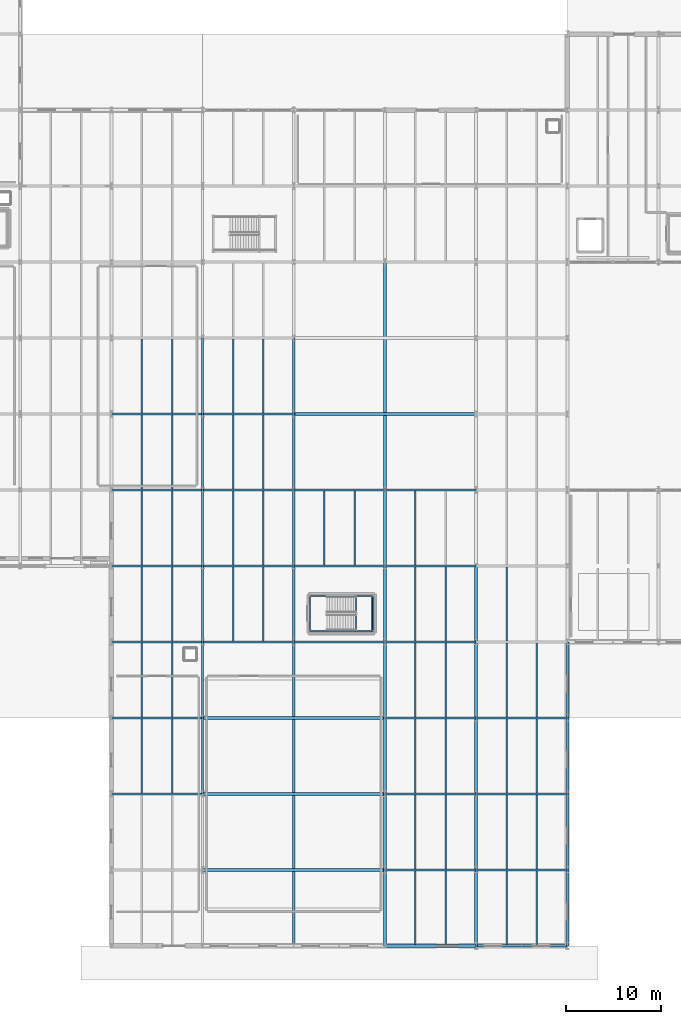
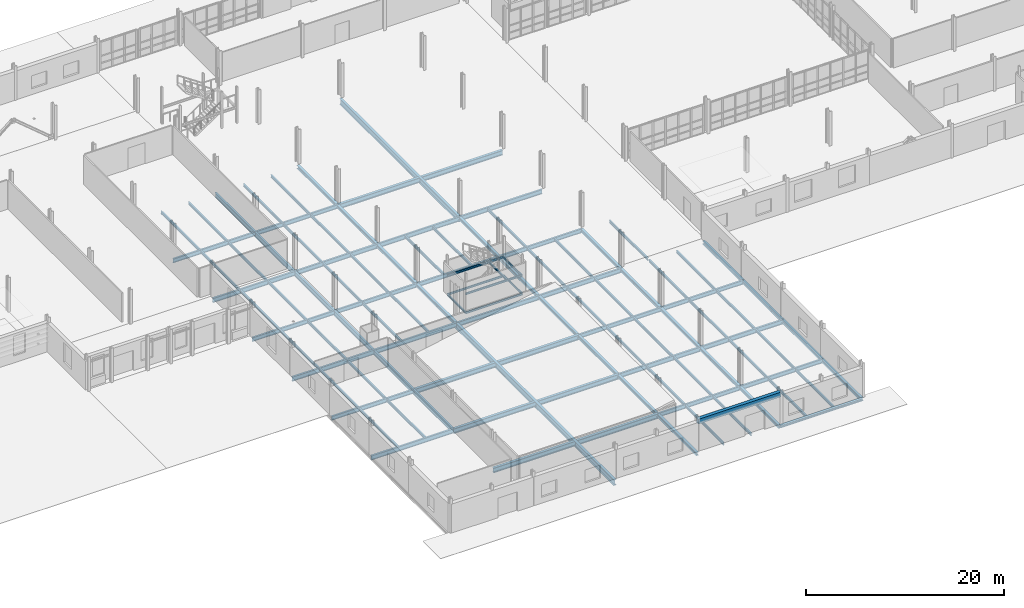
# One storey, part 31 of 78: 105 beams.
"""IFC4 building model written with IfcOpenShell, lengths in metres."""

from ifc_helpers import new_model, si_unit, direction, frame, origin, origin_2d, place, context, subcontext, project, spatial, rectangle, i_section, extrude, material, material_profile, profile_set, type_object, element, save


model = new_model("IFC4")

# Units and contexts
model_context = context("Model", 3, precision=1e-05, world=origin(), true_north=direction((0.0, 1.0)))
body_context = subcontext(model_context, "Body", "Model", "MODEL_VIEW")
ifc_project = project(units=[si_unit("LENGTHUNIT", "METRE"), si_unit("AREAUNIT", "SQUARE_METRE"), si_unit("VOLUMEUNIT", "CUBIC_METRE"), si_unit("PLANEANGLEUNIT", "RADIAN"), si_unit("MASSUNIT", "GRAM", prefix="KILO")], contexts=[model_context])

# Site, building, storey
site_placement = place(None, origin())
site = spatial("IfcSite", under=ifc_project, at=site_placement, CompositionType="ELEMENT")
building_placement = place(site_placement, origin())
building = spatial("IfcBuilding", under=site, at=building_placement, Name="Alderhovde Museum", CompositionType="ELEMENT")
storey_placement = place(building_placement, origin())
storey = spatial("IfcBuildingStorey", under=building, at=storey_placement, Name="L00", CompositionType="ELEMENT", Elevation=0.0)

# Beams
ifc_material_1 = material(Name="Steel S355J2", Category="steel")
ifc_material_profile_1 = material_profile(ifc_material_1, i_section(OverallWidth=0.300048828125, OverallDepth=0.389892578125, WebThickness=0.010986328125, FlangeThickness=0.01904296875, FilletRadius=0.027099609375, at=origin_2d()), Name="HEA 400")
ifc_profile_set_1 = profile_set([ifc_material_profile_1], Name="Steel S355J2")
beam_type_1 = type_object("IfcBeamType", Name="BM-HEA400", PredefinedType="BEAM", material=ifc_profile_set_1)
for number, where, z_axis, x_axis, name in (
    (1, (86.39990234375, 32.0, -0.47509765625), (0.0, 1.0, 0.0), (-1.0, 0.0, 0.0), "L00 Grid Beam X=86.4 (32.0 TO 40.0)"),
    (2, (86.39990234375, 40.0, -0.47509765625), (0.0, 1.0, 0.0), (-1.0, 0.0, 0.0), "L00 Grid Beam X=86.4 (40.0 TO 48.0)"),
    (3, (86.39990234375, 48.0, -0.47509765625), (0.0, 1.0, 0.0), (-1.0, 0.0, 0.0), "L00 Grid Beam X=86.4 (48.0 TO 56.0)"),
    (4, (86.39990234375, 56.0, -0.47509765625), (0.0, 1.0, 0.0), (-1.0, 0.0, 0.0), "L00 Grid Beam X=86.4 (56.0 TO 64.0)"),
    (5, (96.0, 0.0, -0.47509765625), (0.0, 1.0, 0.0), (-1.0, 0.0, 0.0), "L00 Grid Beam X=96.0 (0.0 TO 8.0)"),
    (6, (96.0, 8.0, -0.47509765625), (0.0, 1.0, 0.0), (-1.0, 0.0, 0.0), "L00 Grid Beam X=96.0 (8.0 TO 16.0)"),
    (7, (96.0, 16.0, -0.47509765625), (0.0, 1.0, 0.0), (-1.0, 0.0, 0.0), "L00 Grid Beam X=96.0 (16.0 TO 24.0)"),
    (8, (96.0, 24.0, -0.47509765625), (0.0, 1.0, 0.0), (-1.0, 0.0, 0.0), "L00 Grid Beam X=96.0 (24.0 TO 32.0)"),
    (9, (96.0, 32.0, -0.47509765625), (0.0, 1.0, 0.0), (-1.0, 0.0, 0.0), "L00 Grid Beam X=96.0 (32.0 TO 40.0)"),
    (10, (96.0, 40.0, -0.47509765625), (0.0, 1.0, 0.0), (-1.0, 0.0, 0.0), "L00 Grid Beam X=96.0 (40.0 TO 48.0)"),
    (11, (105.60009765625, 0.0, -0.47509765625), (0.0, 1.0, 0.0), (-1.0, 0.0, 0.0), "L00 Grid Beam X=105.6 (0.0 TO 8.0)"),
    (12, (105.60009765625, 8.0, -0.47509765625), (0.0, 1.0, 0.0), (-1.0, 0.0, 0.0), "L00 Grid Beam X=105.6 (8.0 TO 16.0)"),
    (13, (105.60009765625, 16.0, -0.47509765625), (0.0, 1.0, 0.0), (-1.0, 0.0, 0.0), "L00 Grid Beam X=105.6 (16.0 TO 24.0)"),
    (14, (105.60009765625, 24.0, -0.47509765625), (0.0, 1.0, 0.0), (-1.0, 0.0, 0.0), "L00 Grid Beam X=105.6 (24.0 TO 32.0)"),
    (15, (105.60009765625, 32.0, -0.47509765625), (0.0, 1.0, 0.0), (-1.0, 0.0, 0.0), "L00 Grid Beam X=105.6 (32.0 TO 40.0)"),
    (16, (115.199951171875, 0.0, -0.47509765625), (0.0, 1.0, 0.0), (-1.0, 0.0, 0.0), "L00 Grid Beam X=115.2 (0.0 TO 8.0)"),
    (17, (115.199951171875, 8.0, -0.47509765625), (0.0, 1.0, 0.0), (-1.0, 0.0, 0.0), "L00 Grid Beam X=115.2 (8.0 TO 16.0)"),
    (18, (115.199951171875, 16.0, -0.47509765625), (0.0, 1.0, 0.0), (-1.0, 0.0, 0.0), "L00 Grid Beam X=115.2 (16.0 TO 24.0)"),
    (19, (115.199951171875, 24.0, -0.47509765625), (0.0, 1.0, 0.0), (-1.0, 0.0, 0.0), "L00 Grid Beam X=115.2 (24.0 TO 32.0)"),
):
    element("IfcBeam", number, at=place(storey_placement, frame(where, z_axis=z_axis, x_axis=x_axis)), inside=storey, type_object=beam_type_1, Name=name, PredefinedType="BEAM", context=body_context, shape_type="SweptSolid", body=[
        extrude(i_section(OverallWidth=0.300048828125, OverallDepth=0.389892578125, WebThickness=0.010986328125, FlangeThickness=0.01904296875, FilletRadius=0.027099609375, at=origin_2d()), origin(), (0.0, 0.0, 1.0), 8.0),
    ])
ifc_material_2 = material(Name="Steel S355J2", Category="steel")
ifc_material_profile_2 = material_profile(ifc_material_2, i_section(OverallWidth=0.300048828125, OverallDepth=0.60009765625, WebThickness=0.015380859375, FlangeThickness=0.030029296875, FilletRadius=0.027099609375, at=origin_2d()), Name="HEB 600")
ifc_profile_set_2 = profile_set([ifc_material_profile_2], Name="Steel S355J2")
beam_type_2 = type_object("IfcBeamType", Name="BM-HEB600", PredefinedType="BEAM", material=ifc_profile_set_2)
for number, where, z_axis, x_axis, name in (
    (20, (76.800048828125, 8.0, -0.580078125), (1.0, 0.0, 0.0), (0.0, 1.0, 0.0), "L00 Grid Beam Y=8.0 (76.8 TO 96.0)"),
    (21, (76.800048828125, 16.0, -0.580078125), (1.0, 0.0, 0.0), (0.0, 1.0, 0.0), "L00 Grid Beam Y=16.0 (76.8 TO 96.0)"),
    (22, (76.800048828125, 24.0, -0.580078125), (1.0, 0.0, 0.0), (0.0, 1.0, 0.0), "L00 Grid Beam Y=24.0 (76.8 TO 96.0)"),
):
    element("IfcBeam", number, at=place(storey_placement, frame(where, z_axis=z_axis, x_axis=x_axis)), inside=storey, type_object=beam_type_2, Name=name, PredefinedType="BEAM", context=body_context, shape_type="SweptSolid", body=[
        extrude(i_section(OverallWidth=0.300048828125, OverallDepth=0.60009765625, WebThickness=0.015380859375, FlangeThickness=0.030029296875, FilletRadius=0.027099609375, at=origin_2d()), origin(), (0.0, 0.0, 1.0), 19.199951171875),
    ])
beam_1_placement = place(storey_placement, frame((86.39990234375, 56.0, -0.580078125), z_axis=(1.0, 0.0, 0.0), x_axis=(0.0, 1.0, 0.0)))
element("IfcBeam", 23, at=beam_1_placement, inside=storey, type_object=beam_type_2, Name="L00 Grid Beam Y=56.0 (86.4 TO 105.6)", PredefinedType="BEAM", context=body_context, shape_type="SweptSolid", body=[
    extrude(i_section(OverallWidth=0.300048828125, OverallDepth=0.60009765625, WebThickness=0.015380859375, FlangeThickness=0.030029296875, FilletRadius=0.027099609375, at=origin_2d()), origin(), (0.0, 0.0, 1.0), 19.2001953125),
])
ifc_material_3 = material(Name="Steel S355J2", Category="steel")
ifc_material_profile_3 = material_profile(ifc_material_3, i_section(OverallWidth=0.300048828125, OverallDepth=0.699951171875, WebThickness=0.01708984375, FlangeThickness=0.031982421875, FilletRadius=0.027099609375, at=origin_2d()), Name="HEB 700")
ifc_profile_set_3 = profile_set([ifc_material_profile_3], Name="Steel S355J2")
beam_type_3 = type_object("IfcBeamType", Name="BM-HEB700", PredefinedType="BEAM", material=ifc_profile_set_3)
beam_2_placement = place(storey_placement, frame((86.39990234375, 0.0, -0.6298828125), z_axis=(0.0, 1.0, 0.0), x_axis=(-1.0, 0.0, 0.0)))
element("IfcBeam", 24, at=beam_2_placement, inside=storey, type_object=beam_type_3, Name="L00 Grid Beam X=86.4 (0.0 TO 32.0)", PredefinedType="BEAM", context=body_context, shape_type="SweptSolid", body=[
    extrude(i_section(OverallWidth=0.300048828125, OverallDepth=0.699951171875, WebThickness=0.01708984375, FlangeThickness=0.031982421875, FilletRadius=0.027099609375, at=origin_2d()), origin(), (0.0, 0.0, 1.0), 32.0),
])
beam_3_placement = place(storey_placement, frame((96.0, 48.0, -0.6298828125), z_axis=(0.0, 1.0, 0.0), x_axis=(-1.0, 0.0, 0.0)))
element("IfcBeam", 25, at=beam_3_placement, inside=storey, type_object=beam_type_3, Name="L00 Grid Beam X=96.0 (48.0 TO 72.0)", PredefinedType="BEAM", context=body_context, shape_type="SweptSolid", body=[
    extrude(i_section(OverallWidth=0.300048828125, OverallDepth=0.699951171875, WebThickness=0.01708984375, FlangeThickness=0.031982421875, FilletRadius=0.027099609375, at=origin_2d()), origin(), (0.0, 0.0, 1.0), 24.0),
])
ifc_material_4 = material(Name="Steel S355J2", Category="steel")
ifc_material_profile_4 = material_profile(ifc_material_4, i_section(OverallWidth=0.1201171875, OverallDepth=0.239990234375, WebThickness=0.006103515625, FlangeThickness=0.009765625, FilletRadius=0.014892578125, at=origin_2d()), Name="IPE 240")
ifc_profile_set_4 = profile_set([ifc_material_profile_4], Name="Steel S355J2")
beam_type_4 = type_object("IfcBeamType", Name="BM-IPE240", PredefinedType="BEAM", material=ifc_profile_set_4)
for number, where, z_axis, x_axis, name in (
    (26, (88.1201171875, 33.1201171875, -0.39990234375), (1.0, 0.0, 0.0), (0.0, 1.0, 0.0), "L00 Stair ST3 Floor Trimmer S"),
    (27, (88.1201171875, 36.840087890625, -0.39990234375), (1.0, 0.0, 0.0), (0.0, 1.0, 0.0), "L00 Stair ST3 Floor Trimmer N"),
):
    element("IfcBeam", number, at=place(storey_placement, frame(where, z_axis=z_axis, x_axis=x_axis)), inside=storey, type_object=beam_type_4, Name=name, PredefinedType="BEAM", context=body_context, shape_type="SweptSolid", body=[
        extrude(i_section(OverallWidth=0.1201171875, OverallDepth=0.239990234375, WebThickness=0.006103515625, FlangeThickness=0.009765625, FilletRadius=0.014892578125, at=origin_2d()), origin(), (0.0, 0.0, 1.0), 6.599853515625),
    ])
for number, where, z_axis, x_axis, name in (
    (28, (88.1201171875, 33.1201171875, -0.39990234375), (0.0, 1.0, 0.0), (-1.0, 0.0, 0.0), "L00 Stair ST3 Floor Trimmer W"),
    (29, (94.719970703125, 33.1201171875, -0.39990234375), (0.0, 1.0, 0.0), (-1.0, 0.0, 0.0), "L00 Stair ST3 Floor Trimmer E"),
):
    element("IfcBeam", number, at=place(storey_placement, frame(where, z_axis=z_axis, x_axis=x_axis)), inside=storey, type_object=beam_type_4, Name=name, PredefinedType="BEAM", context=body_context, shape_type="SweptSolid", body=[
        extrude(i_section(OverallWidth=0.1201171875, OverallDepth=0.239990234375, WebThickness=0.006103515625, FlangeThickness=0.009765625, FilletRadius=0.014892578125, at=origin_2d()), origin(), (0.0, 0.0, 1.0), 3.719970703125),
    ])
for number, where, z_axis, x_axis, name in (
    (30, (88.1201171875, 33.1201171875, 1.929931640625), (1.0, 0.0, 0.0), (0.0, 1.0, 0.0), "L00 Stair ST3 Landing 1 Beam S"),
    (31, (88.1201171875, 36.840087890625, 1.929931640625), (1.0, 0.0, 0.0), (0.0, 1.0, 0.0), "L00 Stair ST3 Landing 1 Beam N"),
):
    element("IfcBeam", number, at=place(storey_placement, frame(where, z_axis=z_axis, x_axis=x_axis)), inside=storey, type_object=beam_type_4, Name=name, PredefinedType="BEAM", context=body_context, shape_type="SweptSolid", body=[
        extrude(i_section(OverallWidth=0.1201171875, OverallDepth=0.239990234375, WebThickness=0.006103515625, FlangeThickness=0.009765625, FilletRadius=0.014892578125, at=origin_2d()), origin(), (0.0, 0.0, 1.0), 6.599853515625),
    ])
for number, where, z_axis, x_axis, name in (
    (32, (92.9599609375, 33.1201171875, 1.929931640625), (0.0, 1.0, 0.0), (-1.0, 0.0, 0.0), "L00 Stair ST3 Landing 1 Beam W"),
    (33, (94.639892578125, 33.1201171875, 1.929931640625), (0.0, 1.0, 0.0), (-1.0, 0.0, 0.0), "L00 Stair ST3 Landing 1 Beam E"),
):
    element("IfcBeam", number, at=place(storey_placement, frame(where, z_axis=z_axis, x_axis=x_axis)), inside=storey, type_object=beam_type_4, Name=name, PredefinedType="BEAM", context=body_context, shape_type="SweptSolid", body=[
        extrude(i_section(OverallWidth=0.1201171875, OverallDepth=0.239990234375, WebThickness=0.006103515625, FlangeThickness=0.009765625, FilletRadius=0.014892578125, at=origin_2d()), origin(), (0.0, 0.0, 1.0), 3.719970703125),
    ])
ifc_material_5 = material(Name="Steel S355J2", Category="steel")
ifc_material_profile_5 = material_profile(ifc_material_5, i_section(OverallWidth=0.199951171875, OverallDepth=0.5, WebThickness=0.01025390625, FlangeThickness=0.01611328125, FilletRadius=0.02099609375, at=origin_2d()), Name="IPE 500")
ifc_profile_set_5 = profile_set([ifc_material_profile_5], Name="Steel S355J2")
beam_type_5 = type_object("IfcBeamType", Name="BM-IPE500", PredefinedType="BEAM", material=ifc_profile_set_5)
beam_4_placement = place(storey_placement, frame((96.0, 8.0, -0.530029296875), z_axis=(1.0, 0.0, 0.0), x_axis=(0.0, 1.0, 0.0)))
element("IfcBeam", 34, at=beam_4_placement, inside=storey, type_object=beam_type_5, Name="L00 Grid Beam Y=8.0 (96.0 TO 105.6)", PredefinedType="BEAM", context=body_context, shape_type="SweptSolid", body=[
    extrude(i_section(OverallWidth=0.199951171875, OverallDepth=0.5, WebThickness=0.01025390625, FlangeThickness=0.01611328125, FilletRadius=0.02099609375, at=origin_2d()), origin(), (0.0, 0.0, 1.0), 9.60009765625),
])
beam_5_placement = place(storey_placement, frame((105.60009765625, 8.0, -0.530029296875), z_axis=(1.0, 0.0, 0.0), x_axis=(0.0, 1.0, 0.0)))
element("IfcBeam", 35, at=beam_5_placement, inside=storey, type_object=beam_type_5, Name="L00 Grid Beam Y=8.0 (105.6 TO 115.2)", PredefinedType="BEAM", context=body_context, shape_type="SweptSolid", body=[
    extrude(i_section(OverallWidth=0.199951171875, OverallDepth=0.5, WebThickness=0.01025390625, FlangeThickness=0.01611328125, FilletRadius=0.02099609375, at=origin_2d()), origin(), (0.0, 0.0, 1.0), 9.599853515625),
])
for number, where, z_axis, x_axis, name in (
    (36, (67.199951171875, 24.0, -0.530029296875), (1.0, 0.0, 0.0), (0.0, 1.0, 0.0), "L00 Grid Beam Y=24.0 (67.2 TO 76.8)"),
    (37, (96.0, 24.0, -0.530029296875), (1.0, 0.0, 0.0), (0.0, 1.0, 0.0), "L00 Grid Beam Y=24.0 (96.0 TO 105.6)"),
):
    element("IfcBeam", number, at=place(storey_placement, frame(where, z_axis=z_axis, x_axis=x_axis)), inside=storey, type_object=beam_type_5, Name=name, PredefinedType="BEAM", context=body_context, shape_type="SweptSolid", body=[
        extrude(i_section(OverallWidth=0.199951171875, OverallDepth=0.5, WebThickness=0.01025390625, FlangeThickness=0.01611328125, FilletRadius=0.02099609375, at=origin_2d()), origin(), (0.0, 0.0, 1.0), 9.60009765625),
    ])
beam_6_placement = place(storey_placement, frame((105.60009765625, 24.0, -0.530029296875), z_axis=(1.0, 0.0, 0.0), x_axis=(0.0, 1.0, 0.0)))
element("IfcBeam", 38, at=beam_6_placement, inside=storey, type_object=beam_type_5, Name="L00 Grid Beam Y=24.0 (105.6 TO 115.2)", PredefinedType="BEAM", context=body_context, shape_type="SweptSolid", body=[
    extrude(i_section(OverallWidth=0.199951171875, OverallDepth=0.5, WebThickness=0.01025390625, FlangeThickness=0.01611328125, FilletRadius=0.02099609375, at=origin_2d()), origin(), (0.0, 0.0, 1.0), 9.599853515625),
])
beam_7_placement = place(storey_placement, frame((67.199951171875, 40.0, -0.530029296875), z_axis=(1.0, 0.0, 0.0), x_axis=(0.0, 1.0, 0.0)))
element("IfcBeam", 39, at=beam_7_placement, inside=storey, type_object=beam_type_5, Name="L00 Grid Beam Y=40.0 (67.2 TO 76.8)", PredefinedType="BEAM", context=body_context, shape_type="SweptSolid", body=[
    extrude(i_section(OverallWidth=0.199951171875, OverallDepth=0.5, WebThickness=0.01025390625, FlangeThickness=0.01611328125, FilletRadius=0.02099609375, at=origin_2d()), origin(), (0.0, 0.0, 1.0), 9.60009765625),
])
beam_8_placement = place(storey_placement, frame((76.800048828125, 40.0, -0.530029296875), z_axis=(1.0, 0.0, 0.0), x_axis=(0.0, 1.0, 0.0)))
element("IfcBeam", 40, at=beam_8_placement, inside=storey, type_object=beam_type_5, Name="L00 Grid Beam Y=40.0 (76.8 TO 86.4)", PredefinedType="BEAM", context=body_context, shape_type="SweptSolid", body=[
    extrude(i_section(OverallWidth=0.199951171875, OverallDepth=0.5, WebThickness=0.01025390625, FlangeThickness=0.01611328125, FilletRadius=0.02099609375, at=origin_2d()), origin(), (0.0, 0.0, 1.0), 9.599853515625),
])
for number, where, z_axis, x_axis, name in (
    (41, (86.39990234375, 40.0, -0.530029296875), (1.0, 0.0, 0.0), (0.0, 1.0, 0.0), "L00 Grid Beam Y=40.0 (86.4 TO 96.0)"),
    (42, (96.0, 40.0, -0.530029296875), (1.0, 0.0, 0.0), (0.0, 1.0, 0.0), "L00 Grid Beam Y=40.0 (96.0 TO 105.6)"),
    (43, (67.199951171875, 56.0, -0.530029296875), (1.0, 0.0, 0.0), (0.0, 1.0, 0.0), "L00 Grid Beam Y=56.0 (67.2 TO 76.8)"),
):
    element("IfcBeam", number, at=place(storey_placement, frame(where, z_axis=z_axis, x_axis=x_axis)), inside=storey, type_object=beam_type_5, Name=name, PredefinedType="BEAM", context=body_context, shape_type="SweptSolid", body=[
        extrude(i_section(OverallWidth=0.199951171875, OverallDepth=0.5, WebThickness=0.01025390625, FlangeThickness=0.01611328125, FilletRadius=0.02099609375, at=origin_2d()), origin(), (0.0, 0.0, 1.0), 9.60009765625),
    ])
beam_9_placement = place(storey_placement, frame((76.800048828125, 56.0, -0.530029296875), z_axis=(1.0, 0.0, 0.0), x_axis=(0.0, 1.0, 0.0)))
element("IfcBeam", 44, at=beam_9_placement, inside=storey, type_object=beam_type_5, Name="L00 Grid Beam Y=56.0 (76.8 TO 86.4)", PredefinedType="BEAM", context=body_context, shape_type="SweptSolid", body=[
    extrude(i_section(OverallWidth=0.199951171875, OverallDepth=0.5, WebThickness=0.01025390625, FlangeThickness=0.01611328125, FilletRadius=0.02099609375, at=origin_2d()), origin(), (0.0, 0.0, 1.0), 9.599853515625),
])
ifc_material_6 = material(Name="Steel S355J2", Category="steel")
ifc_material_profile_6 = material_profile(ifc_material_6, i_section(OverallWidth=0.2099609375, OverallDepth=0.550048828125, WebThickness=0.010986328125, FlangeThickness=0.01708984375, FilletRadius=0.02392578125, at=origin_2d()), Name="IPE 550")
ifc_profile_set_6 = profile_set([ifc_material_profile_6], Name="Steel S355J2")
beam_type_6 = type_object("IfcBeamType", Name="BM-IPE550", PredefinedType="BEAM", material=ifc_profile_set_6)
for number, where, z_axis, x_axis, name in (
    (45, (67.199951171875, 16.0, -0.554931640625), (1.0, 0.0, 0.0), (0.0, 1.0, 0.0), "L00 Grid Beam Y=16.0 (67.2 TO 76.8)"),
    (46, (96.0, 16.0, -0.554931640625), (1.0, 0.0, 0.0), (0.0, 1.0, 0.0), "L00 Grid Beam Y=16.0 (96.0 TO 105.6)"),
):
    element("IfcBeam", number, at=place(storey_placement, frame(where, z_axis=z_axis, x_axis=x_axis)), inside=storey, type_object=beam_type_6, Name=name, PredefinedType="BEAM", context=body_context, shape_type="SweptSolid", body=[
        extrude(i_section(OverallWidth=0.2099609375, OverallDepth=0.550048828125, WebThickness=0.010986328125, FlangeThickness=0.01708984375, FilletRadius=0.02392578125, at=origin_2d()), origin(), (0.0, 0.0, 1.0), 9.60009765625),
    ])
beam_10_placement = place(storey_placement, frame((105.60009765625, 16.0, -0.554931640625), z_axis=(1.0, 0.0, 0.0), x_axis=(0.0, 1.0, 0.0)))
element("IfcBeam", 47, at=beam_10_placement, inside=storey, type_object=beam_type_6, Name="L00 Grid Beam Y=16.0 (105.6 TO 115.2)", PredefinedType="BEAM", context=body_context, shape_type="SweptSolid", body=[
    extrude(i_section(OverallWidth=0.2099609375, OverallDepth=0.550048828125, WebThickness=0.010986328125, FlangeThickness=0.01708984375, FilletRadius=0.02392578125, at=origin_2d()), origin(), (0.0, 0.0, 1.0), 9.599853515625),
])
beam_11_placement = place(storey_placement, frame((67.199951171875, 32.0, -0.554931640625), z_axis=(1.0, 0.0, 0.0), x_axis=(0.0, 1.0, 0.0)))
element("IfcBeam", 48, at=beam_11_placement, inside=storey, type_object=beam_type_6, Name="L00 Grid Beam Y=32.0 (67.2 TO 76.8)", PredefinedType="BEAM", context=body_context, shape_type="SweptSolid", body=[
    extrude(i_section(OverallWidth=0.2099609375, OverallDepth=0.550048828125, WebThickness=0.010986328125, FlangeThickness=0.01708984375, FilletRadius=0.02392578125, at=origin_2d()), origin(), (0.0, 0.0, 1.0), 9.60009765625),
])
beam_12_placement = place(storey_placement, frame((76.800048828125, 32.0, -0.554931640625), z_axis=(1.0, 0.0, 0.0), x_axis=(0.0, 1.0, 0.0)))
element("IfcBeam", 49, at=beam_12_placement, inside=storey, type_object=beam_type_6, Name="L00 Grid Beam Y=32.0 (76.8 TO 86.4)", PredefinedType="BEAM", context=body_context, shape_type="SweptSolid", body=[
    extrude(i_section(OverallWidth=0.2099609375, OverallDepth=0.550048828125, WebThickness=0.010986328125, FlangeThickness=0.01708984375, FilletRadius=0.02392578125, at=origin_2d()), origin(), (0.0, 0.0, 1.0), 9.599853515625),
])
for number, where, z_axis, x_axis, name in (
    (50, (86.39990234375, 32.0, -0.554931640625), (1.0, 0.0, 0.0), (0.0, 1.0, 0.0), "L00 Grid Beam Y=32.0 (86.4 TO 96.0)"),
    (51, (96.0, 32.0, -0.554931640625), (1.0, 0.0, 0.0), (0.0, 1.0, 0.0), "L00 Grid Beam Y=32.0 (96.0 TO 105.6)"),
    (52, (67.199951171875, 48.0, -0.554931640625), (1.0, 0.0, 0.0), (0.0, 1.0, 0.0), "L00 Grid Beam Y=48.0 (67.2 TO 76.8)"),
):
    element("IfcBeam", number, at=place(storey_placement, frame(where, z_axis=z_axis, x_axis=x_axis)), inside=storey, type_object=beam_type_6, Name=name, PredefinedType="BEAM", context=body_context, shape_type="SweptSolid", body=[
        extrude(i_section(OverallWidth=0.2099609375, OverallDepth=0.550048828125, WebThickness=0.010986328125, FlangeThickness=0.01708984375, FilletRadius=0.02392578125, at=origin_2d()), origin(), (0.0, 0.0, 1.0), 9.60009765625),
    ])
beam_13_placement = place(storey_placement, frame((76.800048828125, 48.0, -0.554931640625), z_axis=(1.0, 0.0, 0.0), x_axis=(0.0, 1.0, 0.0)))
element("IfcBeam", 53, at=beam_13_placement, inside=storey, type_object=beam_type_6, Name="L00 Grid Beam Y=48.0 (76.8 TO 86.4)", PredefinedType="BEAM", context=body_context, shape_type="SweptSolid", body=[
    extrude(i_section(OverallWidth=0.2099609375, OverallDepth=0.550048828125, WebThickness=0.010986328125, FlangeThickness=0.01708984375, FilletRadius=0.02392578125, at=origin_2d()), origin(), (0.0, 0.0, 1.0), 9.599853515625),
])
for number, where, z_axis, x_axis, name in (
    (54, (86.39990234375, 48.0, -0.554931640625), (1.0, 0.0, 0.0), (0.0, 1.0, 0.0), "L00 Grid Beam Y=48.0 (86.4 TO 96.0)"),
    (55, (96.0, 48.0, -0.554931640625), (1.0, 0.0, 0.0), (0.0, 1.0, 0.0), "L00 Grid Beam Y=48.0 (96.0 TO 105.6)"),
):
    element("IfcBeam", number, at=place(storey_placement, frame(where, z_axis=z_axis, x_axis=x_axis)), inside=storey, type_object=beam_type_6, Name=name, PredefinedType="BEAM", context=body_context, shape_type="SweptSolid", body=[
        extrude(i_section(OverallWidth=0.2099609375, OverallDepth=0.550048828125, WebThickness=0.010986328125, FlangeThickness=0.01708984375, FilletRadius=0.02392578125, at=origin_2d()), origin(), (0.0, 0.0, 1.0), 9.60009765625),
    ])
ifc_material_7 = material(Name="Steel S355J2", Category="steel")
ifc_material_profile_7 = material_profile(ifc_material_7, i_section(OverallWidth=0.219970703125, OverallDepth=0.60009765625, WebThickness=0.011962890625, FlangeThickness=0.01904296875, FilletRadius=0.02392578125, at=origin_2d()), Name="IPE 600")
ifc_profile_set_7 = profile_set([ifc_material_profile_7], Name="Steel S355J2")
beam_type_7 = type_object("IfcBeamType", Name="BM-IPE600", PredefinedType="BEAM", material=ifc_profile_set_7)
for number, where, z_axis, x_axis, name in (
    (56, (76.800048828125, 16.0, -0.580078125), (0.0, 1.0, 0.0), (-1.0, 0.0, 0.0), "L00 Grid Beam X=76.8 (16.0 TO 24.0)"),
    (57, (76.800048828125, 24.0, -0.580078125), (0.0, 1.0, 0.0), (-1.0, 0.0, 0.0), "L00 Grid Beam X=76.8 (24.0 TO 32.0)"),
    (58, (76.800048828125, 32.0, -0.580078125), (0.0, 1.0, 0.0), (-1.0, 0.0, 0.0), "L00 Grid Beam X=76.8 (32.0 TO 40.0)"),
    (59, (76.800048828125, 40.0, -0.580078125), (0.0, 1.0, 0.0), (-1.0, 0.0, 0.0), "L00 Grid Beam X=76.8 (40.0 TO 48.0)"),
    (60, (76.800048828125, 48.0, -0.580078125), (0.0, 1.0, 0.0), (-1.0, 0.0, 0.0), "L00 Grid Beam X=76.8 (48.0 TO 56.0)"),
    (61, (76.800048828125, 56.0, -0.580078125), (0.0, 1.0, 0.0), (-1.0, 0.0, 0.0), "L00 Grid Beam X=76.8 (56.0 TO 64.0)"),
):
    element("IfcBeam", number, at=place(storey_placement, frame(where, z_axis=z_axis, x_axis=x_axis)), inside=storey, type_object=beam_type_7, Name=name, PredefinedType="BEAM", context=body_context, shape_type="SweptSolid", body=[
        extrude(i_section(OverallWidth=0.219970703125, OverallDepth=0.60009765625, WebThickness=0.011962890625, FlangeThickness=0.01904296875, FilletRadius=0.02392578125, at=origin_2d()), origin(), (0.0, 0.0, 1.0), 8.0),
    ])
ifc_material_8 = material(Name="Steel S355J2", Category="steel")
ifc_material_profile_8 = material_profile(ifc_material_8, i_section(OverallWidth=0.159912109375, OverallDepth=0.330078125, WebThickness=0.007568359375, FlangeThickness=0.011474609375, FilletRadius=0.01806640625, at=origin_2d()), Name="IPE 330")
ifc_profile_set_8 = profile_set([ifc_material_profile_8], Name="Steel S355J2")
beam_type_8 = type_object("IfcBeamType", Name="JST-IPE330", PredefinedType="JOIST", material=ifc_profile_set_8)
for number, where, z_axis, x_axis, name in (
    (62, (70.39990234375, 16.10498046875, -0.445068359375), (0.0, 1.0, 0.0), (-1.0, 0.0, 0.0), "L00 Composite Joist X=70.4 (16.0 TO 24.0)"),
    (63, (73.60009765625, 16.10498046875, -0.445068359375), (0.0, 1.0, 0.0), (-1.0, 0.0, 0.0), "L00 Composite Joist X=73.6 (16.0 TO 24.0)"),
    (64, (70.39990234375, 24.10009765625, -0.445068359375), (0.0, 1.0, 0.0), (-1.0, 0.0, 0.0), "L00 Composite Joist X=70.4 (24.0 TO 32.0)"),
    (65, (73.60009765625, 24.10009765625, -0.445068359375), (0.0, 1.0, 0.0), (-1.0, 0.0, 0.0), "L00 Composite Joist X=73.6 (24.0 TO 32.0)"),
    (66, (70.39990234375, 32.10498046875, -0.445068359375), (0.0, 1.0, 0.0), (-1.0, 0.0, 0.0), "L00 Composite Joist X=70.4 (32.0 TO 40.0)"),
    (67, (73.60009765625, 32.10498046875, -0.445068359375), (0.0, 1.0, 0.0), (-1.0, 0.0, 0.0), "L00 Composite Joist X=73.6 (32.0 TO 40.0)"),
    (68, (70.39990234375, 40.10009765625, -0.445068359375), (0.0, 1.0, 0.0), (-1.0, 0.0, 0.0), "L00 Composite Joist X=70.4 (40.0 TO 48.0)"),
    (69, (73.60009765625, 40.10009765625, -0.445068359375), (0.0, 1.0, 0.0), (-1.0, 0.0, 0.0), "L00 Composite Joist X=73.6 (40.0 TO 48.0)"),
    (70, (70.39990234375, 48.10498046875, -0.445068359375), (0.0, 1.0, 0.0), (-1.0, 0.0, 0.0), "L00 Composite Joist X=70.4 (48.0 TO 56.0)"),
    (71, (73.60009765625, 48.10498046875, -0.445068359375), (0.0, 1.0, 0.0), (-1.0, 0.0, 0.0), "L00 Composite Joist X=73.6 (48.0 TO 56.0)"),
    (72, (70.39990234375, 56.10009765625, -0.445068359375), (0.0, 1.0, 0.0), (-1.0, 0.0, 0.0), "L00 Composite Joist X=70.4 (56.0 TO 64.0)"),
    (73, (73.60009765625, 56.10009765625, -0.445068359375), (0.0, 1.0, 0.0), (-1.0, 0.0, 0.0), "L00 Composite Joist X=73.6 (56.0 TO 64.0)"),
    (74, (80.0, 32.10498046875, -0.445068359375), (0.0, 1.0, 0.0), (-1.0, 0.0, 0.0), "L00 Composite Joist X=80.0 (32.0 TO 40.0)"),
    (75, (83.199951171875, 32.10498046875, -0.445068359375), (0.0, 1.0, 0.0), (-1.0, 0.0, 0.0), "L00 Composite Joist X=83.2 (32.0 TO 40.0)"),
    (76, (80.0, 40.10009765625, -0.445068359375), (0.0, 1.0, 0.0), (-1.0, 0.0, 0.0), "L00 Composite Joist X=80.0 (40.0 TO 48.0)"),
    (77, (83.199951171875, 40.10009765625, -0.445068359375), (0.0, 1.0, 0.0), (-1.0, 0.0, 0.0), "L00 Composite Joist X=83.2 (40.0 TO 48.0)"),
    (78, (80.0, 48.10498046875, -0.445068359375), (0.0, 1.0, 0.0), (-1.0, 0.0, 0.0), "L00 Composite Joist X=80.0 (48.0 TO 56.0)"),
    (79, (83.199951171875, 48.10498046875, -0.445068359375), (0.0, 1.0, 0.0), (-1.0, 0.0, 0.0), "L00 Composite Joist X=83.2 (48.0 TO 56.0)"),
    (80, (80.0, 56.10009765625, -0.445068359375), (0.0, 1.0, 0.0), (-1.0, 0.0, 0.0), "L00 Composite Joist X=80.0 (56.0 TO 64.0)"),
    (81, (83.199951171875, 56.10009765625, -0.445068359375), (0.0, 1.0, 0.0), (-1.0, 0.0, 0.0), "L00 Composite Joist X=83.2 (56.0 TO 64.0)"),
    (82, (89.60009765625, 40.10009765625, -0.445068359375), (0.0, 1.0, 0.0), (-1.0, 0.0, 0.0), "L00 Composite Joist X=89.6 (40.0 TO 48.0)"),
    (83, (92.800048828125, 40.10009765625, -0.445068359375), (0.0, 1.0, 0.0), (-1.0, 0.0, 0.0), "L00 Composite Joist X=92.8 (40.0 TO 48.0)"),
):
    element("IfcBeam", number, at=place(storey_placement, frame(where, z_axis=z_axis, x_axis=x_axis)), inside=storey, type_object=beam_type_8, Name=name, PredefinedType="JOIST", context=body_context, shape_type="SweptSolid", body=[
        extrude(i_section(OverallWidth=0.159912109375, OverallDepth=0.330078125, WebThickness=0.007568359375, FlangeThickness=0.011474609375, FilletRadius=0.01806640625, at=origin_2d()), origin(), (0.0, 0.0, 1.0), 7.794921875),
    ])
for number, where, z_axis, x_axis, name in (
    (84, (99.199951171875, 0.14990234375, -0.445068359375), (0.0, 1.0, 0.0), (-1.0, 0.0, 0.0), "L00 Composite Joist X=99.2 (0.0 TO 8.0)"),
    (85, (102.39990234375, 0.14990234375, -0.445068359375), (0.0, 1.0, 0.0), (-1.0, 0.0, 0.0), "L00 Composite Joist X=102.4 (0.0 TO 8.0)"),
):
    element("IfcBeam", number, at=place(storey_placement, frame(where, z_axis=z_axis, x_axis=x_axis)), inside=storey, type_object=beam_type_8, Name=name, PredefinedType="JOIST", context=body_context, shape_type="SweptSolid", body=[
        extrude(i_section(OverallWidth=0.159912109375, OverallDepth=0.330078125, WebThickness=0.007568359375, FlangeThickness=0.011474609375, FilletRadius=0.01806640625, at=origin_2d()), origin(), (0.0, 0.0, 1.0), 7.75),
    ])
for number, where, z_axis, x_axis, name in (
    (86, (99.199951171875, 8.10009765625, -0.445068359375), (0.0, 1.0, 0.0), (-1.0, 0.0, 0.0), "L00 Composite Joist X=99.2 (8.0 TO 16.0)"),
    (87, (102.39990234375, 8.10009765625, -0.445068359375), (0.0, 1.0, 0.0), (-1.0, 0.0, 0.0), "L00 Composite Joist X=102.4 (8.0 TO 16.0)"),
    (88, (99.199951171875, 16.10498046875, -0.445068359375), (0.0, 1.0, 0.0), (-1.0, 0.0, 0.0), "L00 Composite Joist X=99.2 (16.0 TO 24.0)"),
    (89, (102.39990234375, 16.10498046875, -0.445068359375), (0.0, 1.0, 0.0), (-1.0, 0.0, 0.0), "L00 Composite Joist X=102.4 (16.0 TO 24.0)"),
    (90, (99.199951171875, 24.10009765625, -0.445068359375), (0.0, 1.0, 0.0), (-1.0, 0.0, 0.0), "L00 Composite Joist X=99.2 (24.0 TO 32.0)"),
    (91, (102.39990234375, 24.10009765625, -0.445068359375), (0.0, 1.0, 0.0), (-1.0, 0.0, 0.0), "L00 Composite Joist X=102.4 (24.0 TO 32.0)"),
    (92, (99.199951171875, 32.10498046875, -0.445068359375), (0.0, 1.0, 0.0), (-1.0, 0.0, 0.0), "L00 Composite Joist X=99.2 (32.0 TO 40.0)"),
    (93, (102.39990234375, 32.10498046875, -0.445068359375), (0.0, 1.0, 0.0), (-1.0, 0.0, 0.0), "L00 Composite Joist X=102.4 (32.0 TO 40.0)"),
    (94, (99.199951171875, 40.10009765625, -0.445068359375), (0.0, 1.0, 0.0), (-1.0, 0.0, 0.0), "L00 Composite Joist X=99.2 (40.0 TO 48.0)"),
):
    element("IfcBeam", number, at=place(storey_placement, frame(where, z_axis=z_axis, x_axis=x_axis)), inside=storey, type_object=beam_type_8, Name=name, PredefinedType="JOIST", context=body_context, shape_type="SweptSolid", body=[
        extrude(i_section(OverallWidth=0.159912109375, OverallDepth=0.330078125, WebThickness=0.007568359375, FlangeThickness=0.011474609375, FilletRadius=0.01806640625, at=origin_2d()), origin(), (0.0, 0.0, 1.0), 7.794921875),
    ])
for number, where, z_axis, x_axis, name in (
    (95, (108.800048828125, 0.14990234375, -0.445068359375), (0.0, 1.0, 0.0), (-1.0, 0.0, 0.0), "L00 Composite Joist X=108.8 (0.0 TO 8.0)"),
    (96, (112.0, 0.14990234375, -0.445068359375), (0.0, 1.0, 0.0), (-1.0, 0.0, 0.0), "L00 Composite Joist X=112.0 (0.0 TO 8.0)"),
):
    element("IfcBeam", number, at=place(storey_placement, frame(where, z_axis=z_axis, x_axis=x_axis)), inside=storey, type_object=beam_type_8, Name=name, PredefinedType="JOIST", context=body_context, shape_type="SweptSolid", body=[
        extrude(i_section(OverallWidth=0.159912109375, OverallDepth=0.330078125, WebThickness=0.007568359375, FlangeThickness=0.011474609375, FilletRadius=0.01806640625, at=origin_2d()), origin(), (0.0, 0.0, 1.0), 7.75),
    ])
for number, where, z_axis, x_axis, name in (
    (97, (108.800048828125, 8.10009765625, -0.445068359375), (0.0, 1.0, 0.0), (-1.0, 0.0, 0.0), "L00 Composite Joist X=108.8 (8.0 TO 16.0)"),
    (98, (112.0, 8.10009765625, -0.445068359375), (0.0, 1.0, 0.0), (-1.0, 0.0, 0.0), "L00 Composite Joist X=112.0 (8.0 TO 16.0)"),
    (99, (108.800048828125, 16.10498046875, -0.445068359375), (0.0, 1.0, 0.0), (-1.0, 0.0, 0.0), "L00 Composite Joist X=108.8 (16.0 TO 24.0)"),
    (100, (112.0, 16.10498046875, -0.445068359375), (0.0, 1.0, 0.0), (-1.0, 0.0, 0.0), "L00 Composite Joist X=112.0 (16.0 TO 24.0)"),
    (101, (108.800048828125, 24.10009765625, -0.445068359375), (0.0, 1.0, 0.0), (-1.0, 0.0, 0.0), "L00 Composite Joist X=108.8 (24.0 TO 32.0)"),
    (102, (112.0, 24.10009765625, -0.445068359375), (0.0, 1.0, 0.0), (-1.0, 0.0, 0.0), "L00 Composite Joist X=112.0 (24.0 TO 32.0)"),
    (103, (108.800048828125, 32.10498046875, -0.445068359375), (0.0, 1.0, 0.0), (-1.0, 0.0, 0.0), "L00 Composite Joist X=108.8 (32.0 TO 40.0)"),
):
    element("IfcBeam", number, at=place(storey_placement, frame(where, z_axis=z_axis, x_axis=x_axis)), inside=storey, type_object=beam_type_8, Name=name, PredefinedType="JOIST", context=body_context, shape_type="SweptSolid", body=[
        extrude(i_section(OverallWidth=0.159912109375, OverallDepth=0.330078125, WebThickness=0.007568359375, FlangeThickness=0.011474609375, FilletRadius=0.01806640625, at=origin_2d()), origin(), (0.0, 0.0, 1.0), 7.794921875),
    ])
ifc_material_9 = material(Name="Concrete C40/50", Category="concrete")
ifc_material_profile_9 = material_profile(ifc_material_9, rectangle(XDim=0.39990234375, YDim=0.60009765625, at=origin_2d()), Name="RC 400x600")
ifc_profile_set_9 = profile_set([ifc_material_profile_9], Name="Concrete C40/50")
beam_type_9 = type_object("IfcBeamType", Name="LNT-RC400x600", PredefinedType="LINTEL", material=ifc_profile_set_9)
beam_14_placement = place(storey_placement, frame((96.0, 0.0, 3.60009765625), z_axis=(1.0, 0.0, 0.0), x_axis=(0.0, 1.0, 0.0)))
element("IfcBeam", 104, at=beam_14_placement, inside=storey, type_object=beam_type_9, Name="L00 Portal Lintel 9", PredefinedType="LINTEL", context=body_context, shape_type="SweptSolid", body=[
    extrude(rectangle(XDim=0.39990234375, YDim=0.60009765625, at=origin_2d()), origin(), (0.0, 0.0, 1.0), 9.60009765625),
])
ifc_material_10 = material(Name="Steel S355J2", Category="steel")
ifc_material_profile_10 = material_profile(ifc_material_10, i_section(OverallWidth=0.300048828125, OverallDepth=0.2900390625, WebThickness=0.008544921875, FlangeThickness=0.013916015625, FilletRadius=0.027099609375, at=origin_2d()), Name="HEA 300")
ifc_profile_set_10 = profile_set([ifc_material_profile_10], Name="Steel S355J2")
beam_type_10 = type_object("IfcBeamType", Name="SPD-HEA300", PredefinedType="SPANDREL", material=ifc_profile_set_10)
beam_15_placement = place(storey_placement, frame((105.60009765625, 0.0, -0.425048828125), z_axis=(1.0, 0.0, 0.0), x_axis=(0.0, 1.0, 0.0)))
element("IfcBeam", 105, at=beam_15_placement, inside=storey, type_object=beam_type_10, Name="L00 Grid Beam Y=0.0 (105.6 TO 115.2)", PredefinedType="SPANDREL", context=body_context, shape_type="SweptSolid", body=[
    extrude(i_section(OverallWidth=0.300048828125, OverallDepth=0.2900390625, WebThickness=0.008544921875, FlangeThickness=0.013916015625, FilletRadius=0.027099609375, at=origin_2d()), origin(), (0.0, 0.0, 1.0), 9.599853515625),
])

save(model, "model.ifc")
